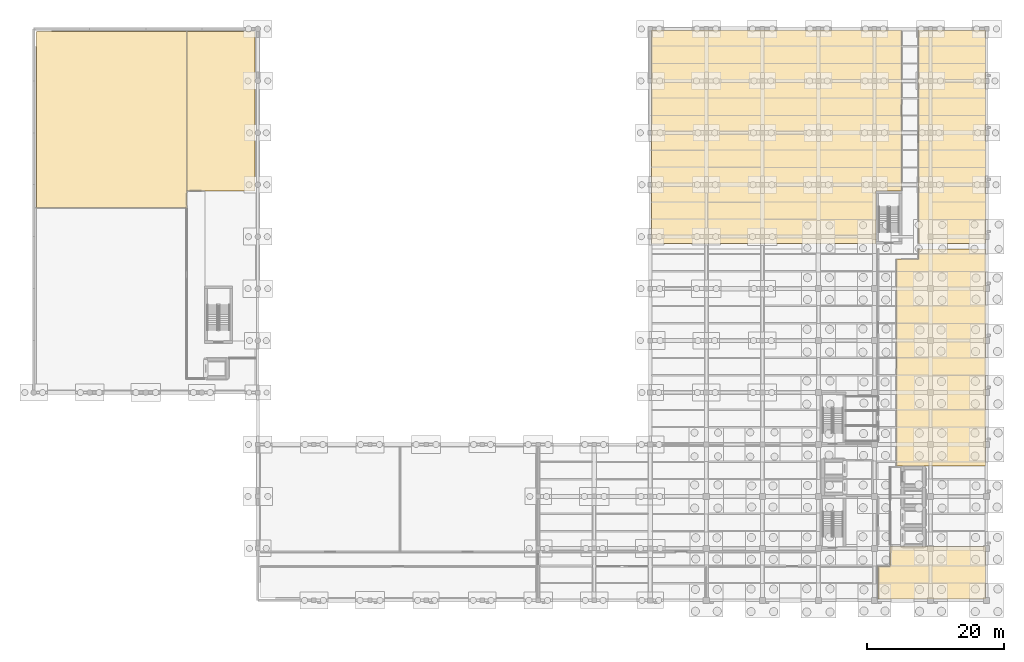
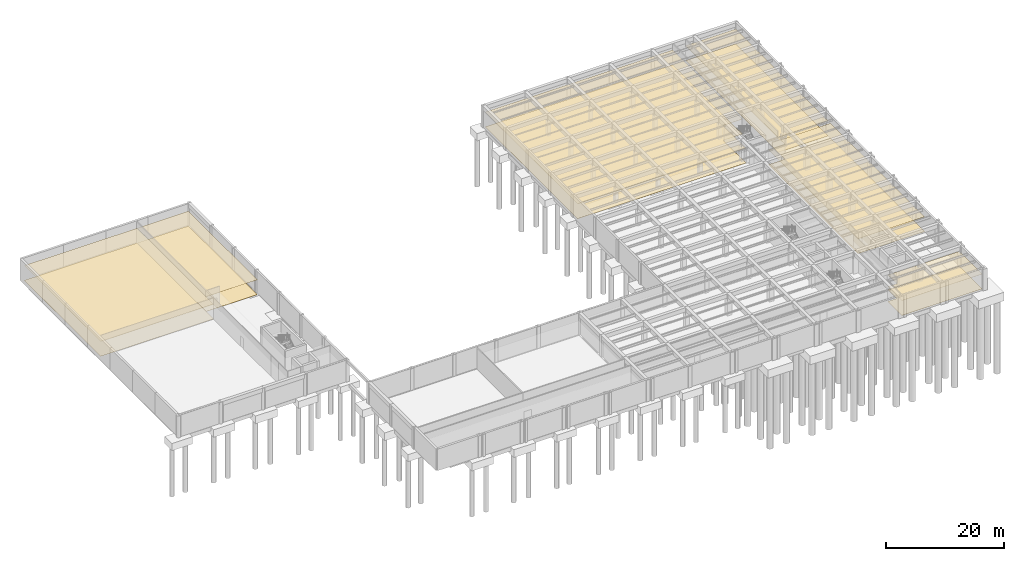
# One storey, part 29 of 29: 12 coverings.
"""IFC4 building model written with IfcOpenShell, lengths in metres."""

from ifc_helpers import new_model, si_unit, direction, frame, origin, place, context, subcontext, project, spatial, polyline, outline, extrude, material, layer, layer_set, type_object, element, save


model = new_model("IFC4")

# Units and contexts
model_context = context("Model", 3, precision=1e-05, world=origin(), true_north=direction((0.0, 1.0)))
body_context = subcontext(model_context, "Body", "Model", "MODEL_VIEW")
ifc_project = project(units=[si_unit("LENGTHUNIT", "METRE"), si_unit("AREAUNIT", "SQUARE_METRE"), si_unit("VOLUMEUNIT", "CUBIC_METRE"), si_unit("PLANEANGLEUNIT", "RADIAN"), si_unit("MASSUNIT", "GRAM", prefix="KILO")], contexts=[model_context])

# Site, building, storey
site_placement = place(None, origin())
site = spatial("IfcSite", under=ifc_project, at=site_placement, CompositionType="ELEMENT")
building_placement = place(site_placement, origin())
building = spatial("IfcBuilding", under=site, at=building_placement, Name="Qandaris Square Conservatory and Botanical Centre", CompositionType="ELEMENT")
storey_placement = place(building_placement, frame((0.0, 0.0, -4.800048828125)))
storey = spatial("IfcBuildingStorey", under=building, at=storey_placement, Name="B1", CompositionType="ELEMENT", Elevation=-4.800048828125)

# Coverings
ifc_material_1 = material(Name="Gypsum Plasterboard", Category="gypsum")
ifc_layer_1 = layer(ifc_material_1, 0.02490234375)
ifc_layer_set_1 = layer_set([ifc_layer_1], Name="Gypsum Plasterboard")
covering_type_1 = type_object("IfcCoveringType", Name="Perforated Acoustic Lab Ceiling Tile", PredefinedType="CEILING", material=ifc_layer_set_1)
covering_1_placement = place(storey_placement, frame((0.0, 0.0, 3.050048828125)))
element("IfcCovering", 1, at=covering_1_placement, inside=storey, type_object=covering_type_1, Name="District Cooling Energy Transfer Station Ceiling", PredefinedType="CEILING", context=body_context, shape_type="SweptSolid", body=[
    extrude(outline(polyline([(149.699951171875, 24.5), (163.6201171875, 24.5), (163.6201171875, 16.780029296875), (147.949951171875, 16.780029296875), (147.949951171875, 21.550048828125), (149.699951171875, 21.550048828125), (149.699951171875, 23.699951171875), (149.699951171875, 24.5)])), origin(), (0.0, 0.0, 1.0), 0.02490234375),
])
covering_2_placement = place(storey_placement, frame((0.0, 0.0, 3.050048828125)))
element("IfcCovering", 2, at=covering_2_placement, inside=storey, type_object=covering_type_1, Name="Main Chilled Water and Pump Hall Ceiling", PredefinedType="CEILING", context=body_context, shape_type="SweptSolid", body=[
    extrude(outline(polyline([(153.85009765625, 66.5), (153.85009765625, 68.0), (163.6201171875, 68.0), (163.6201171875, 36.25), (150.64990234375, 36.25), (150.64990234375, 66.5), (151.35009765625, 66.5), (153.85009765625, 66.5)])), origin(), (0.0, 0.0, 1.0), 0.02490234375),
])
covering_3_placement = place(storey_placement, frame((0.0, 0.0, 3.050048828125)))
element("IfcCovering", 3, at=covering_3_placement, inside=storey, type_object=covering_type_1, Name="Emergency Standby Generator and LV Switchroom Ceiling", PredefinedType="CEILING", context=body_context, shape_type="SweptSolid", body=[
    extrude(outline(polyline([(114.780029296875, 68.800048828125), (114.780029296875, 100.02001953125), (151.35009765625, 100.02001953125), (151.35009765625, 99.89990234375), (151.35009765625, 76.5), (147.60009765625, 76.5), (147.60009765625, 68.800048828125), (114.780029296875, 68.800048828125)])), origin(), (0.0, 0.0, 1.0), 0.02490234375),
])
covering_4_placement = place(storey_placement, frame((0.0, 0.0, 3.050048828125)))
element("IfcCovering", 4, at=covering_4_placement, inside=storey, type_object=covering_type_1, Name="Sprinkler Tank and Fire Pump Room Ceiling", PredefinedType="CEILING", context=body_context, shape_type="SweptSolid", body=[
    extrude(outline(polyline([(153.85009765625, 100.02001953125), (163.6201171875, 100.02001953125), (163.6201171875, 68.800048828125), (153.85009765625, 68.800048828125), (153.85009765625, 68.85009765625), (153.85009765625, 99.89990234375), (153.85009765625, 100.02001953125)])), origin(), (0.0, 0.0, 1.0), 0.02490234375),
])
covering_5_placement = place(storey_placement, frame((0.0, 0.0, 3.050048828125)))
element("IfcCovering", 5, at=covering_5_placement, inside=storey, type_object=covering_type_1, Name="Conservatory Irrigation Filtration Plant Ceiling", PredefinedType="CEILING", context=body_context, shape_type="SweptSolid", body=[
    extrude(outline(polyline([(24.800048828125, 99.800048828125), (46.800048828125, 99.800048828125), (46.800048828125, 74.0), (24.800048828125, 74.0), (24.800048828125, 99.800048828125)])), origin(), (0.0, 0.0, 1.0), 0.02490234375),
])
covering_6_placement = place(storey_placement, frame((0.0, 0.0, 3.050048828125)))
element("IfcCovering", 6, at=covering_6_placement, inside=storey, type_object=covering_type_1, Name="Conservatory Adiabatic Fogging Plant Ceiling", PredefinedType="CEILING", context=body_context, shape_type="SweptSolid", body=[
    extrude(outline(polyline([(46.800048828125, 99.800048828125), (56.800048828125, 99.800048828125), (56.800048828125, 76.5), (46.800048828125, 76.5), (46.800048828125, 99.800048828125)])), origin(), (0.0, 0.0, 1.0), 0.02490234375),
])
ifc_material_2 = material(Name="Epoxy Resin Screed", Category="finish")
ifc_layer_2 = layer(ifc_material_2, 0.014892578125)
ifc_layer_set_2 = layer_set([ifc_layer_2], Name="Epoxy Resin Screed")
covering_type_2 = type_object("IfcCoveringType", Name="Seamless Epoxy Laboratory Flooring", PredefinedType="FLOORING", material=ifc_layer_set_2)
covering_7_placement = place(storey_placement, origin())
element("IfcCovering", 7, at=covering_7_placement, inside=storey, type_object=covering_type_2, Name="District Cooling Energy Transfer Station Flooring", PredefinedType="FLOORING", context=body_context, shape_type="SweptSolid", body=[
    extrude(outline(polyline([(149.699951171875, 24.5), (163.6201171875, 24.5), (163.6201171875, 16.780029296875), (147.949951171875, 16.780029296875), (147.949951171875, 21.550048828125), (149.699951171875, 21.550048828125), (149.699951171875, 23.699951171875), (149.699951171875, 24.5)])), origin(), (0.0, 0.0, 1.0), 0.01513671875),
])
covering_8_placement = place(storey_placement, origin())
element("IfcCovering", 8, at=covering_8_placement, inside=storey, type_object=covering_type_2, Name="Main Chilled Water and Pump Hall Flooring", PredefinedType="FLOORING", context=body_context, shape_type="SweptSolid", body=[
    extrude(outline(polyline([(153.85009765625, 66.5), (153.85009765625, 68.0), (163.6201171875, 68.0), (163.6201171875, 36.25), (150.64990234375, 36.25), (150.64990234375, 66.5), (151.35009765625, 66.5), (153.85009765625, 66.5)])), origin(), (0.0, 0.0, 1.0), 0.01513671875),
])
covering_9_placement = place(storey_placement, origin())
element("IfcCovering", 9, at=covering_9_placement, inside=storey, type_object=covering_type_2, Name="Emergency Standby Generator and LV Switchroom Flooring", PredefinedType="FLOORING", context=body_context, shape_type="SweptSolid", body=[
    extrude(outline(polyline([(114.780029296875, 68.800048828125), (114.780029296875, 100.02001953125), (151.35009765625, 100.02001953125), (151.35009765625, 99.89990234375), (151.35009765625, 76.5), (147.60009765625, 76.5), (147.60009765625, 68.800048828125), (114.780029296875, 68.800048828125)])), origin(), (0.0, 0.0, 1.0), 0.01513671875),
])
covering_10_placement = place(storey_placement, origin())
element("IfcCovering", 10, at=covering_10_placement, inside=storey, type_object=covering_type_2, Name="Sprinkler Tank and Fire Pump Room Flooring", PredefinedType="FLOORING", context=body_context, shape_type="SweptSolid", body=[
    extrude(outline(polyline([(153.85009765625, 100.02001953125), (163.6201171875, 100.02001953125), (163.6201171875, 68.800048828125), (153.85009765625, 68.800048828125), (153.85009765625, 68.85009765625), (153.85009765625, 99.89990234375), (153.85009765625, 100.02001953125)])), origin(), (0.0, 0.0, 1.0), 0.01513671875),
])
covering_11_placement = place(storey_placement, origin())
element("IfcCovering", 11, at=covering_11_placement, inside=storey, type_object=covering_type_2, Name="Conservatory Irrigation Filtration Plant Flooring", PredefinedType="FLOORING", context=body_context, shape_type="SweptSolid", body=[
    extrude(outline(polyline([(24.800048828125, 99.800048828125), (46.800048828125, 99.800048828125), (46.800048828125, 74.0), (24.800048828125, 74.0), (24.800048828125, 99.800048828125)])), origin(), (0.0, 0.0, 1.0), 0.01513671875),
])
covering_12_placement = place(storey_placement, origin())
element("IfcCovering", 12, at=covering_12_placement, inside=storey, type_object=covering_type_2, Name="Conservatory Adiabatic Fogging Plant Flooring", PredefinedType="FLOORING", context=body_context, shape_type="SweptSolid", body=[
    extrude(outline(polyline([(46.800048828125, 99.800048828125), (56.800048828125, 99.800048828125), (56.800048828125, 76.5), (46.800048828125, 76.5), (46.800048828125, 99.800048828125)])), origin(), (0.0, 0.0, 1.0), 0.01513671875),
])

save(model, "model.ifc")
